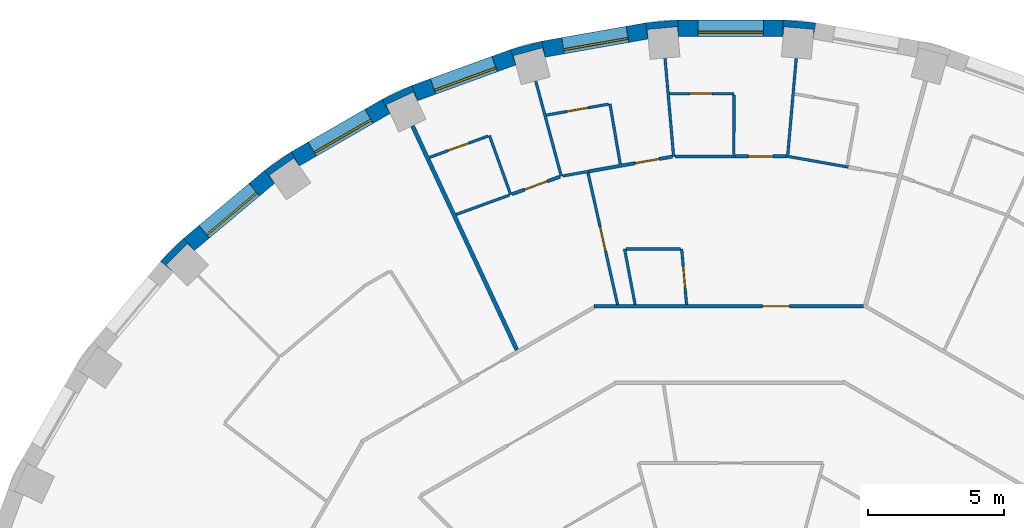
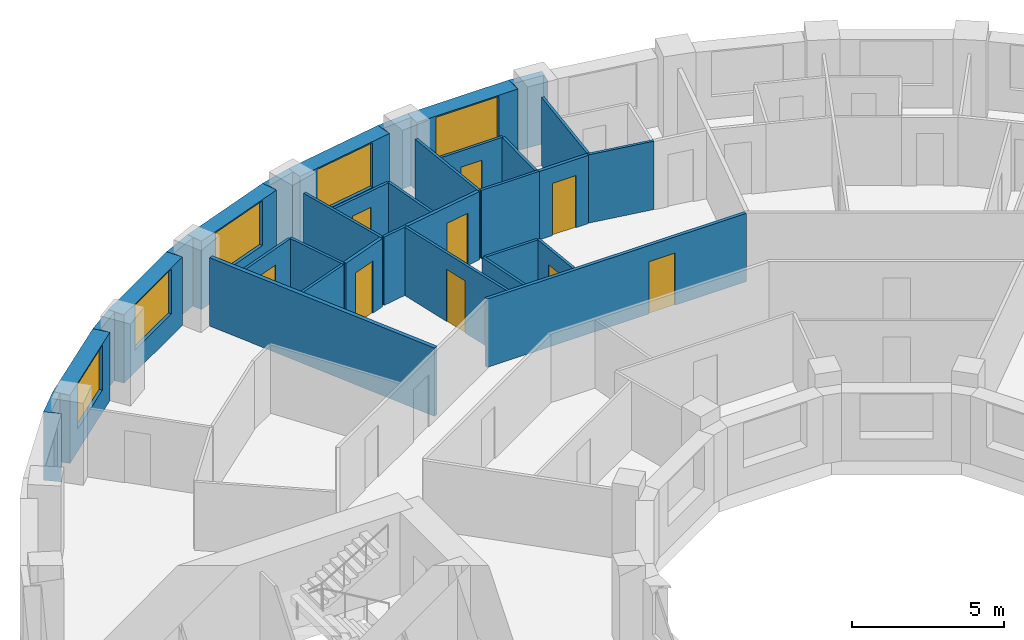
# One storey, part 11 of 15: 33 walls, 9 doors, 5 windows, 14 openings.
"""IFC4 building model written with IfcOpenShell, lengths in metres."""

import ifcopenshell
import ifcopenshell.guid

model = None  # the IFC model being written
_history = None  # IfcOwnerHistory: only IFC2X3 demands one
_inside = {}  # id of a spatial element -> (the spatial element, [elements in it])
_under = {}  # id of a project, library or spatial element -> (it, [spatial elements below it])
_declared = {}  # id of a project -> (the project, [libraries it declares])
_typed = {}  # id of a type object -> (the type object, [elements of that type])
_made_of = {}  # id of a material, layer set ... -> (it, [elements and type objects made of it])


def new_model(schema):
    """Start an empty IFC model of exactly this schema.

    Asked for "IFC4X3", IfcOpenShell would pick the latest addendum, in which some entities
    have other attributes; the version numbers below select the first issue.
    IFC2X3 requires an IfcOwnerHistory on every rooted entity: one is made here for all.
    """
    global model, _history
    if schema == "IFC4X3":
        model = ifcopenshell.file(schema_version=(4, 3, 0, 0))
    else:
        model = ifcopenshell.file(schema=schema)
    _inside.clear()
    _under.clear()
    _declared.clear()
    _typed.clear()
    _made_of.clear()
    _history = None
    if model.schema == "IFC2X3":
        org = make("IfcOrganization", Name="unknown")
        user = make(
            "IfcPersonAndOrganization",
            ThePerson=make("IfcPerson", FamilyName="unknown"),
            TheOrganization=org,
        )
        app = make(
            "IfcApplication",
            ApplicationDeveloper=org,
            Version="unknown",
            ApplicationFullName="unknown",
            ApplicationIdentifier="unknown",
        )
        _history = make(
            "IfcOwnerHistory",
            OwningUser=user,
            OwningApplication=app,
            ChangeAction="ADDED",
            CreationDate=0,
        )
    return model


def make(cls, **values):
    """One entity of the class cls with the attributes given. An attribute that is None is left unset."""
    return model.create_entity(
        cls, **{name: value for name, value in values.items() if value is not None}
    )


def rooted(cls, **values):
    """An entity with a GlobalId (a new one), such as an element, a storey or a relation."""
    return make(cls, GlobalId=ifcopenshell.guid.new(), OwnerHistory=_history, **values)


def si_unit(unit_type, name, prefix=None):
    """IfcSIUnit, for example si_unit("LENGTHUNIT", "METRE", prefix="MILLI")."""
    return make("IfcSIUnit", UnitType=unit_type, Prefix=prefix, Name=name)


def assignment(units):
    """IfcUnitAssignment: the units of a project."""
    return None if units is None else make("IfcUnitAssignment", Units=units)


def point(xyz):
    """IfcCartesianPoint."""
    return None if xyz is None else make("IfcCartesianPoint", Coordinates=xyz)


def direction(xyz):
    """IfcDirection."""
    return None if xyz is None else make("IfcDirection", DirectionRatios=xyz)


def frame(location, z_axis=None, x_axis=None):
    """IfcAxis2Placement3D, a coordinate frame: its origin and axes. An axis left out is left unset."""
    return make(
        "IfcAxis2Placement3D",
        Location=point(location),
        Axis=direction(z_axis),
        RefDirection=direction(x_axis),
    )


def frame_2d(location, x_axis=None):
    """IfcAxis2Placement2D, a coordinate frame in the plane: its origin and x axis."""
    return make(
        "IfcAxis2Placement2D", Location=point(location), RefDirection=direction(x_axis)
    )


def origin():
    """The frame at (0, 0, 0) with its axes left unset."""
    return frame((0.0, 0.0, 0.0))


def place(relative_to, where):
    """IfcLocalPlacement: puts the frame where relative to a parent placement (None: the world)."""
    return make(
        "IfcLocalPlacement", PlacementRelTo=relative_to, RelativePlacement=where
    )


def context(
    kind, dimensions, precision=None, world=None, true_north=None, identifier=None
):
    """IfcGeometricRepresentationContext, for example the 3D "Model" context."""
    return make(
        "IfcGeometricRepresentationContext",
        ContextIdentifier=identifier,
        ContextType=kind,
        CoordinateSpaceDimension=dimensions,
        Precision=precision,
        WorldCoordinateSystem=world,
        TrueNorth=true_north,
    )


def subcontext(parent, identifier, kind, view, scale=None):
    """IfcGeometricRepresentationSubContext, for example "Body" below "Model"."""
    return make(
        "IfcGeometricRepresentationSubContext",
        ContextIdentifier=identifier,
        ContextType=kind,
        ParentContext=parent,
        TargetScale=scale,
        TargetView=view,
    )


def project(units=None, contexts=None):
    """IfcProject with its units and contexts."""
    return rooted(
        "IfcProject",
        Name="project",
        RepresentationContexts=contexts,
        UnitsInContext=assignment(units),
    )


def spatial(cls, under=None, at=None, **own):
    """A site, building, storey or space (cls), placed at a placement, below another one or the project."""
    s = rooted(cls, ObjectPlacement=at, **own)
    if under is not None:
        _under.setdefault(under.id(), (under, []))[1].append(s)
    return s


def polyline(points):
    """IfcPolyline through the points."""
    return make("IfcPolyline", Points=[point(p) for p in points])


def profile(cls, at=None, kind="AREA", **sizes):
    """A parametric profile (cls). Its sizes go by their IFC names, for example OverallWidth=200.0."""
    return make(cls, ProfileType=kind, Position=at, **sizes)


def rectangle(**sizes):
    """IfcRectangleProfileDef."""
    return profile("IfcRectangleProfileDef", **sizes)


def outline(outer, holes=None, kind="AREA"):
    """IfcArbitraryClosedProfileDef: a profile drawn as a closed curve; with holes, ...WithVoids."""
    if holes is None:
        return make("IfcArbitraryClosedProfileDef", ProfileType=kind, OuterCurve=outer)
    return make(
        "IfcArbitraryProfileDefWithVoids",
        ProfileType=kind,
        OuterCurve=outer,
        InnerCurves=holes,
    )


def extrude(swept, where, along, depth):
    """IfcExtrudedAreaSolid: the profile swept, set in the frame where, extruded along a direction by depth."""
    return make(
        "IfcExtrudedAreaSolid",
        SweptArea=swept,
        Position=where,
        ExtrudedDirection=direction(along),
        Depth=depth,
    )


def shape(context_of_items, identifier, shape_type, items):
    """IfcShapeRepresentation: the items that make up one representation, for example the "Body"."""
    return make(
        "IfcShapeRepresentation",
        ContextOfItems=context_of_items,
        RepresentationIdentifier=identifier,
        RepresentationType=shape_type,
        Items=items,
    )


def material(Name=None, Category=None):
    """IfcMaterial."""
    return make("IfcMaterial", Name=Name, Category=Category)


def layer(
    of_material, thickness, ventilated=None, Name=None, Category=None, Priority=None
):
    """IfcMaterialLayer: one layer of a wall or slab, of a material (None: an air gap)."""
    return make(
        "IfcMaterialLayer",
        Material=of_material,
        LayerThickness=thickness,
        IsVentilated=ventilated,
        Name=Name,
        Category=Category,
        Priority=Priority,
    )


def layer_set(layers, Name=None):
    """IfcMaterialLayerSet."""
    return make("IfcMaterialLayerSet", MaterialLayers=layers, LayerSetName=Name)


def made_of(thing, what):
    """Note that an element or type object is made of a material, layer set ...; save() writes the relation."""
    if what is not None:
        _made_of.setdefault(what.id(), (what, []))[1].append(thing)
    return thing


def type_object(cls, material=None, **own):
    """A type object (cls), such as IfcWallType, which elements share."""
    return made_of(rooted(cls, **own), material)


def element(
    cls,
    number,
    at=None,
    inside=None,
    cuts=None,
    type_object=None,
    material=None,
    context=None,
    identifier="Body",
    shape_type=None,
    held_by="IfcProductDefinitionShape",
    body=None,
    shapes=None,
    **own,
):
    """One element of the class cls, such as IfcWall. Its Tag is "e" and its number.

    at: its placement. inside: the storey or other place that contains it. cuts: it is an
    opening in that element (IfcRelVoidsElement). A single representation is given by context,
    identifier, shape_type and body (its items); several are given by shapes. held_by: the class
    of the entity that holds the representations. save() writes the other relations.
    """
    e = rooted(cls, Tag="e%d" % number, ObjectPlacement=at, **own)
    if body is not None:
        shapes = [shape(context, identifier, shape_type, body)]
    if shapes is not None:
        e.Representation = make(held_by, Representations=shapes)
    if inside is not None:
        _inside.setdefault(inside.id(), (inside, []))[1].append(e)
    if cuts is not None:
        rooted(
            "IfcRelVoidsElement", RelatingBuildingElement=cuts, RelatedOpeningElement=e
        )
    if type_object is not None:
        _typed.setdefault(type_object.id(), (type_object, []))[1].append(e)
    return made_of(e, material)


def fill(opening, filler):
    """IfcRelFillsElement: the door or window that sits in an opening."""
    return rooted(
        "IfcRelFillsElement",
        RelatingOpeningElement=opening,
        RelatedBuildingElement=filler,
    )


def aggregate(whole, parts):
    """IfcRelAggregates: a whole, such as a stair, and the parts it consists of."""
    return rooted("IfcRelAggregates", RelatingObject=whole, RelatedObjects=parts)


def save(model, path):
    """Write the relations noted so far, then the file.

    IfcRelAggregates (storeys below a building ...), IfcRelContainedInSpatialStructure (elements
    in a storey), IfcRelDefinesByType, IfcRelAssociatesMaterial and IfcRelDeclares: one each for
    every whole, place, type object, material and project.
    """
    for whole, parts in _under.values():
        aggregate(whole, parts)
    for where, things in _inside.values():
        rooted(
            "IfcRelContainedInSpatialStructure",
            RelatedElements=things,
            RelatingStructure=where,
        )
    for kind, things in _typed.values():
        rooted("IfcRelDefinesByType", RelatedObjects=things, RelatingType=kind)
    for what, things in _made_of.values():
        rooted("IfcRelAssociatesMaterial", RelatedObjects=things, RelatingMaterial=what)
    for by, libraries in _declared.values():
        rooted("IfcRelDeclares", RelatingContext=by, RelatedDefinitions=libraries)
    model.write(path)


model = new_model("IFC4")

# Units and contexts
model_context = context("Model", 3, precision=1e-05, world=origin(), true_north=direction((0.0, 1.0)))
body_context = subcontext(model_context, "Body", "Model", "MODEL_VIEW")
ifc_project = project(units=[si_unit("LENGTHUNIT", "METRE"), si_unit("AREAUNIT", "SQUARE_METRE"), si_unit("VOLUMEUNIT", "CUBIC_METRE"), si_unit("PLANEANGLEUNIT", "RADIAN"), si_unit("MASSUNIT", "GRAM", prefix="KILO")], contexts=[model_context])

# Site, building, storey
site_placement = place(None, origin())
site = spatial("IfcSite", under=ifc_project, at=site_placement, CompositionType="ELEMENT")
building_placement = place(site_placement, origin())
building = spatial("IfcBuilding", under=site, at=building_placement, Name="Saqina Gate Tower", CompositionType="ELEMENT")
storey_placement = place(building_placement, frame((0.0, 0.0, 39.5)))
storey = spatial("IfcBuildingStorey", under=building, at=storey_placement, Name="L10", CompositionType="ELEMENT", Elevation=39.5)

# Walls
ifc_material_1 = material(Name="Brick masonry (red)", Category="masonry")
wall_type_1 = type_object("IfcWallType", Name="BRICK PIER COPING RED", PredefinedType="SOLIDWALL", material=ifc_material_1)
wall_1_placement = place(storey_placement, origin())
element("IfcWall", 1, at=wall_1_placement, inside=storey, type_object=wall_type_1, Name="Pier cap L10 column 9", PredefinedType="SOLIDWALL", context=body_context, shape_type="SweptSolid", body=[
    extrude(outline(polyline([(3.122802734375, 28.78466796875), (1.9228515625, 28.8896484375), (1.9228515625, 28.28955078125), (1.95361328125, 28.638671875), (3.04931640625, 28.54296875), (3.018798828125, 28.19384765625), (3.122802734375, 28.78466796875)])), origin(), (0.0, 0.0, 1.0), 2.75),
])
wall_2_placement = place(storey_placement, origin())
element("IfcWall", 2, at=wall_2_placement, inside=storey, type_object=wall_type_1, Name="Pier cap L10 column 10", PredefinedType="SOLIDWALL", context=body_context, shape_type="SweptSolid", body=[
    extrude(outline(polyline([(-1.9228515625, 28.8896484375), (-3.122802734375, 28.78466796875), (-3.018798828125, 28.19384765625), (-3.04931640625, 28.54296875), (-1.95361328125, 28.638671875), (-1.9228515625, 28.28955078125), (-1.9228515625, 28.8896484375)])), origin(), (0.0, 0.0, 1.0), 2.75),
])
wall_3_placement = place(storey_placement, origin())
element("IfcWall", 3, at=wall_3_placement, inside=storey, type_object=wall_type_1, Name="Pier cap L10 column 11", PredefinedType="SOLIDWALL", context=body_context, shape_type="SweptSolid", body=[
    extrude(outline(polyline([(-6.910400390625, 28.11669921875), (-8.073974609375, 27.80517578125), (-7.86865234375, 27.2412109375), (-7.95947265625, 27.57958984375), (-6.896728515625, 27.864501953125), (-6.80615234375, 27.52587890625), (-6.910400390625, 28.11669921875)])), origin(), (0.0, 0.0, 1.0), 2.75),
])
wall_4_placement = place(storey_placement, origin())
element("IfcWall", 4, at=wall_4_placement, inside=storey, type_object=wall_type_1, Name="Pier cap L10 column 12", PredefinedType="SOLIDWALL", context=body_context, shape_type="SweptSolid", body=[
    extrude(outline(polyline([(-12.779541015625, 25.980712890625), (-12.4794921875, 25.4609375), (-12.627685546875, 25.778564453125), (-11.630615234375, 26.243408203125), (-11.482666015625, 25.92578125), (-11.687744140625, 26.48974609375), (-12.779541015625, 25.980712890625)])), origin(), (0.0, 0.0, 1.0), 2.75),
])
wall_5_placement = place(storey_placement, origin())
element("IfcWall", 5, at=wall_5_placement, inside=storey, type_object=wall_type_1, Name="Pier cap L10 column 13", PredefinedType="SOLIDWALL", context=body_context, shape_type="SweptSolid", body=[
    extrude(outline(polyline([(-16.110107421875, 24.0576171875), (-17.096923828125, 23.36669921875), (-16.711181640625, 22.9072265625), (-16.912109375, 23.194091796875), (-16.010986328125, 23.8251953125), (-15.81005859375, 23.5380859375), (-16.110107421875, 24.0576171875)])), origin(), (0.0, 0.0, 1.0), 2.75),
])
wall_6_placement = place(storey_placement, origin())
element("IfcWall", 6, at=wall_6_placement, inside=storey, type_object=wall_type_1, Name="Pier cap L10 column 14", PredefinedType="SOLIDWALL", context=body_context, shape_type="SweptSolid", body=[
    extrude(outline(polyline([(-20.894775390625, 20.04296875), (-20.43505859375, 19.6572265625), (-20.682861328125, 19.905029296875), (-19.905029296875, 20.682861328125), (-19.6572265625, 20.43505859375), (-20.04296875, 20.894775390625), (-20.894775390625, 20.04296875)])), origin(), (0.0, 0.0, 1.0), 2.75),
])

# Wall, opening, window
ifc_material_2 = material(Name="Brick masonry (red)", Category="masonry")
ifc_layer_1 = layer(ifc_material_2, 0.60009765625)
ifc_layer_set_1 = layer_set([ifc_layer_1], Name="FW-BRICK-RED")
wall_type_2 = type_object("IfcWallType", Name="FW-BRICK-RED", PredefinedType="SOLIDWALL", material=ifc_layer_set_1)
wall_7_placement = place(storey_placement, frame((1.9228515625, 28.589599609375, 0.0), z_axis=(0.0, 0.0, 1.0), x_axis=(-1.0, 0.0, 0.0)))
wall_7 = element("IfcWall", 7, at=wall_7_placement, inside=storey, type_object=wall_type_2, Name="Facade wall L10 facet 9", PredefinedType="SOLIDWALL", context=body_context, shape_type="SweptSolid", body=[
    extrude(rectangle(XDim=3.845703125, YDim=0.60009765625, at=frame_2d((1.9228515625, 0.0))), origin(), (0.0, 0.0, 1.0), 2.75),
])
opening_1_placement = place(wall_7_placement, frame((0.722900390625, 0.0, 0.89990234375)))
opening_1 = element("IfcOpeningElement", 8, at=opening_1_placement, cuts=wall_7, Name="Opening G02-W07", PredefinedType="OPENING", context=body_context, shape_type="SweptSolid", body=[
    extrude(rectangle(XDim=2.39990234375, YDim=1.800048828125, at=frame_2d((1.199951171875, 0.89990234375))), frame((0.0, 0.31201171875, 0.0), z_axis=(0.0, -1.0, 0.0), x_axis=(1.0, 0.0, 0.0)), (0.0, 0.0, 1.0), 0.6240234375),
])
ifc_material_3 = material(Name="Aluminium glazing", Category="aluminium")
window_type = type_object("IfcWindowType", Name="WN-A", PartitioningType="SINGLE_PANEL", PredefinedType="WINDOW", material=ifc_material_3)
window_1_placement = place(opening_1_placement, origin())
window_1 = element("IfcWindow", 9, at=window_1_placement, inside=storey, type_object=window_type, Name="Window L10 facet 9", OverallHeight=1.800048828125, OverallWidth=2.39990234375, PartitioningType="SINGLE_PANEL", PredefinedType="WINDOW", context=body_context, shape_type="SweptSolid", body=[
    extrude(rectangle(XDim=2.39990234375, YDim=1.800048828125, at=frame_2d((1.199951171875, 0.89990234375))), frame((0.0, 0.179931640625, 0.0), z_axis=(0.0, -1.0, 0.0), x_axis=(1.0, 0.0, 0.0)), (0.0, 0.0, 1.0), 0.06005859375),
])
fill(opening_1, window_1)

wall_8_placement = place(storey_placement, frame((-3.07080078125, 28.4892578125, 0.0), z_axis=(0.0, 0.0, 1.0), x_axis=(-0.984800809218, -0.173687553279, 0.0)))
wall_8 = element("IfcWall", 10, at=wall_8_placement, inside=storey, type_object=wall_type_2, Name="Facade wall L10 facet 10", PredefinedType="SOLIDWALL", context=body_context, shape_type="SweptSolid", body=[
    extrude(rectangle(XDim=3.845703125, YDim=0.60009765625, at=frame_2d((1.9228515625, 0.0))), origin(), (0.0, 0.0, 1.0), 2.75),
])
opening_2_placement = place(wall_8_placement, frame((0.722900390625, 0.0, 0.89990234375)))
opening_2 = element("IfcOpeningElement", 11, at=opening_2_placement, cuts=wall_8, Name="Opening G02-W08", PredefinedType="OPENING", context=body_context, shape_type="SweptSolid", body=[
    extrude(rectangle(XDim=2.39990234375, YDim=1.800048828125, at=frame_2d((1.199951171875, 0.89990234375))), frame((0.0, 0.31201171875, 0.0), z_axis=(0.0, -1.0, 0.0), x_axis=(1.0, 0.0, 0.0)), (0.0, 0.0, 1.0), 0.6240234375),
])
window_2_placement = place(opening_2_placement, origin())
window_2 = element("IfcWindow", 12, at=window_2_placement, inside=storey, type_object=window_type, Name="Window L10 facet 10", OverallHeight=1.800048828125, OverallWidth=2.39990234375, PartitioningType="SINGLE_PANEL", PredefinedType="WINDOW", context=body_context, shape_type="SweptSolid", body=[
    extrude(rectangle(XDim=2.39990234375, YDim=1.800048828125, at=frame_2d((1.199951171875, 0.89990234375))), frame((0.0, 0.179931640625, 0.0), z_axis=(0.0, -1.0, 0.0), x_axis=(1.0, 0.0, 0.0)), (0.0, 0.0, 1.0), 0.06005859375),
])
fill(opening_2, window_2)

wall_9_placement = place(storey_placement, frame((-7.97119140625, 27.523193359375, 0.0), z_axis=(0.0, 0.0, 1.0), x_axis=(-0.939689588564, -0.342028474173, 0.0)))
wall_9 = element("IfcWall", 13, at=wall_9_placement, inside=storey, type_object=wall_type_2, Name="Facade wall L10 facet 11", PredefinedType="SOLIDWALL", context=body_context, shape_type="SweptSolid", body=[
    extrude(rectangle(XDim=3.845947265625, YDim=0.60009765625, at=frame_2d((1.9228515625, 0.0))), origin(), (0.0, 0.0, 1.0), 2.75),
])
opening_3_placement = place(wall_9_placement, frame((0.722900390625, 0.0, 0.89990234375)))
opening_3 = element("IfcOpeningElement", 14, at=opening_3_placement, cuts=wall_9, Name="Opening G02-W09", PredefinedType="OPENING", context=body_context, shape_type="SweptSolid", body=[
    extrude(rectangle(XDim=2.39990234375, YDim=1.800048828125, at=frame_2d((1.199951171875, 0.89990234375))), frame((0.0, 0.31201171875, 0.0), z_axis=(0.0, -1.0, 0.0), x_axis=(1.0, 0.0, 0.0)), (0.0, 0.0, 1.0), 0.6240234375),
])
window_3_placement = place(opening_3_placement, origin())
window_3 = element("IfcWindow", 15, at=window_3_placement, inside=storey, type_object=window_type, Name="Window L10 facet 11", OverallHeight=1.800048828125, OverallWidth=2.39990234375, PartitioningType="SINGLE_PANEL", PredefinedType="WINDOW", context=body_context, shape_type="SweptSolid", body=[
    extrude(rectangle(XDim=2.39990234375, YDim=1.800048828125, at=frame_2d((1.199951171875, 0.89990234375))), frame((0.0, 0.179931640625, 0.0), z_axis=(0.0, -1.0, 0.0), x_axis=(1.0, 0.0, 0.0)), (0.0, 0.0, 1.0), 0.06005859375),
])
fill(opening_3, window_3)

wall_10_placement = place(storey_placement, frame((-12.629638671875, 25.720703125, 0.0), z_axis=(0.0, 0.0, 1.0), x_axis=(-0.86603124159, -0.499989888488, 0.0)))
wall_10 = element("IfcWall", 16, at=wall_10_placement, inside=storey, type_object=wall_type_2, Name="Facade wall L10 facet 12", PredefinedType="SOLIDWALL", context=body_context, shape_type="SweptSolid", body=[
    extrude(rectangle(XDim=3.845703125, YDim=0.60009765625, at=frame_2d((1.9228515625, 0.0))), origin(), (0.0, 0.0, 1.0), 2.75),
])
opening_4_placement = place(wall_10_placement, frame((0.722900390625, 0.0, 0.89990234375)))
opening_4 = element("IfcOpeningElement", 17, at=opening_4_placement, cuts=wall_10, Name="Opening G02-W10", PredefinedType="OPENING", context=body_context, shape_type="SweptSolid", body=[
    extrude(rectangle(XDim=2.39990234375, YDim=1.800048828125, at=frame_2d((1.199951171875, 0.89990234375))), frame((0.0, 0.31201171875, 0.0), z_axis=(0.0, -1.0, 0.0), x_axis=(1.0, 0.0, 0.0)), (0.0, 0.0, 1.0), 0.6240234375),
])
window_4_placement = place(opening_4_placement, origin())
window_4 = element("IfcWindow", 18, at=window_4_placement, inside=storey, type_object=window_type, Name="Window L10 facet 12", OverallHeight=1.800048828125, OverallWidth=2.39990234375, PartitioningType="SINGLE_PANEL", PredefinedType="WINDOW", context=body_context, shape_type="SweptSolid", body=[
    extrude(rectangle(XDim=2.39990234375, YDim=1.800048828125, at=frame_2d((1.199951171875, 0.89990234375))), frame((0.0, 0.179931640625, 0.0), z_axis=(0.0, -1.0, 0.0), x_axis=(1.0, 0.0, 0.0)), (0.0, 0.0, 1.0), 0.06005859375),
])
fill(opening_4, window_4)

wall_11_placement = place(storey_placement, frame((-16.904052734375, 23.136962890625, 0.0), z_axis=(0.0, 0.0, 1.0), x_axis=(-0.766026164483, -0.642809392687, 0.0)))
wall_11 = element("IfcWall", 19, at=wall_11_placement, inside=storey, type_object=wall_type_2, Name="Facade wall L10 facet 13", PredefinedType="SOLIDWALL", context=body_context, shape_type="SweptSolid", body=[
    extrude(rectangle(XDim=3.845947265625, YDim=0.60009765625, at=frame_2d((1.9228515625, 0.0))), origin(), (0.0, 0.0, 1.0), 2.75),
])
opening_5_placement = place(wall_11_placement, frame((0.722900390625, 0.0, 0.89990234375)))
opening_5 = element("IfcOpeningElement", 20, at=opening_5_placement, cuts=wall_11, Name="Opening G02-W11", PredefinedType="OPENING", context=body_context, shape_type="SweptSolid", body=[
    extrude(rectangle(XDim=2.39990234375, YDim=1.800048828125, at=frame_2d((1.199951171875, 0.89990234375))), frame((0.0, 0.31201171875, 0.0), z_axis=(0.0, -1.0, 0.0), x_axis=(1.0, 0.0, 0.0)), (0.0, 0.0, 1.0), 0.6240234375),
])
window_5_placement = place(opening_5_placement, origin())
window_5 = element("IfcWindow", 21, at=window_5_placement, inside=storey, type_object=window_type, Name="Window L10 facet 13", OverallHeight=1.800048828125, OverallWidth=2.39990234375, PartitioningType="SINGLE_PANEL", PredefinedType="WINDOW", context=body_context, shape_type="SweptSolid", body=[
    extrude(rectangle(XDim=2.39990234375, YDim=1.800048828125, at=frame_2d((1.199951171875, 0.89990234375))), frame((0.0, 0.179931640625, 0.0), z_axis=(0.0, -1.0, 0.0), x_axis=(1.0, 0.0, 0.0)), (0.0, 0.0, 1.0), 0.06005859375),
])
fill(opening_5, window_5)

# Wall
ifc_material_4 = material(Name="Gypsum board on steel studs, 100 mm", Category="steel")
ifc_layer_2 = layer(ifc_material_4, 0.10009765625)
ifc_layer_set_2 = layer_set([ifc_layer_2], Name="PARTITION 100")
wall_type_3 = type_object("IfcWallType", Name="PARTITION 100", PredefinedType="PARTITIONING", material=ifc_layer_set_2)
wall_12_placement = place(storey_placement, frame((-2.404296875, 27.485107421875, 0.0), z_axis=(0.0, 0.0, 1.0), x_axis=(0.08706456859, -0.996202670593, 0.0)))
element("IfcWall", 22, at=wall_12_placement, inside=storey, type_object=wall_type_3, Name="PARTITION PW3-04", PredefinedType="PARTITIONING", context=body_context, shape_type="SweptSolid", body=[
    extrude(rectangle(XDim=3.60888671875, YDim=0.10009765625, at=frame_2d((1.804443359375, 0.0))), origin(), (0.0, 0.0, 1.0), 2.75),
])

# Wall, opening, door
wall_13_placement = place(storey_placement, frame((-1.7939453125, 20.5, 0.0), z_axis=(0.0, 0.0, 1.0), x_axis=(0.087005571392, -0.996207824978, 0.0)))
wall_13 = element("IfcWall", 23, at=wall_13_placement, inside=storey, type_object=wall_type_3, Name="PARTITION PW3-05", PredefinedType="PARTITIONING", context=body_context, shape_type="SweptSolid", body=[
    extrude(rectangle(XDim=2.045654296875, YDim=0.10009765625, at=frame_2d((1.02294921875, 0.0))), origin(), (0.0, 0.0, 1.0), 2.75),
])
opening_6_placement = place(wall_13_placement, frame((0.654052734375, 0.0, 0.0)))
opening_6 = element("IfcOpeningElement", 24, at=opening_6_placement, cuts=wall_13, Name="Opening G02-D21", PredefinedType="OPENING", context=body_context, shape_type="SweptSolid", body=[
    extrude(rectangle(XDim=0.800048828125, YDim=2.10009765625, at=frame_2d((0.39990234375, 1.050048828125))), frame((0.0, 0.06201171875, 0.0), z_axis=(0.0, -1.0, 0.0), x_axis=(1.0, 0.0, 0.0)), (0.0, 0.0, 1.0), 0.1240234375),
])
ifc_material_5 = material(Name="Timber door leaf, 800 mm", Category="wood")
door_type_1 = type_object("IfcDoorType", Name="DOOR 800 TIMBER", OperationType="SINGLE_SWING_LEFT", PredefinedType="DOOR", material=ifc_material_5)
door_1_placement = place(opening_6_placement, origin())
door_1 = element("IfcDoor", 25, at=door_1_placement, inside=storey, type_object=door_type_1, Name="DOOR G02-D21", OperationType="SINGLE_SWING_RIGHT", OverallHeight=2.10009765625, OverallWidth=0.800048828125, PredefinedType="DOOR", context=body_context, shape_type="SweptSolid", body=[
    extrude(rectangle(XDim=0.800048828125, YDim=2.10009765625, at=frame_2d((0.39990234375, 1.050048828125))), frame((0.0, 0.02490234375, 0.0), z_axis=(0.0, -1.0, 0.0), x_axis=(1.0, 0.0, 0.0)), (0.0, 0.0, 1.0), 0.050048828125),
])
fill(opening_6, door_1)

# Walls
wall_14_placement = place(storey_placement, frame((-4.423095703125, 25.81396484375, 0.0), z_axis=(0.0, 0.0, 1.0), x_axis=(0.168697286213, -0.985667908387, 0.0)))
element("IfcWall", 26, at=wall_14_placement, inside=storey, type_object=wall_type_3, Name="PARTITION PW3-08", PredefinedType="PARTITIONING", context=body_context, shape_type="SweptSolid", body=[
    extrude(rectangle(XDim=2.2373046875, YDim=0.10009765625, at=frame_2d((1.11865234375, 0.0))), origin(), (0.0, 0.0, 1.0), 2.75),
])
wall_15_placement = place(storey_placement, frame((-3.888916015625, 20.5, 0.0), z_axis=(0.0, 0.0, 1.0), x_axis=(0.186603866767, -0.982435238022, 0.0)))
element("IfcWall", 27, at=wall_15_placement, inside=storey, type_object=wall_type_3, Name="PARTITION PW3-10", PredefinedType="PARTITIONING", context=body_context, shape_type="SweptSolid", body=[
    extrude(rectangle(XDim=2.074951171875, YDim=0.10009765625, at=frame_2d((1.03759765625, 0.0))), origin(), (0.0, 0.0, 1.0), 2.75),
])

# Wall, opening, door
wall_16_placement = place(storey_placement, frame((-5.22802734375, 23.28515625, 0.0), z_axis=(0.0, 0.0, 1.0), x_axis=(0.219089188196, -0.975704836319, 0.0)))
wall_16 = element("IfcWall", 28, at=wall_16_placement, inside=storey, type_object=wall_type_3, Name="PARTITION PW3-11", PredefinedType="PARTITIONING", context=body_context, shape_type="SweptSolid", body=[
    extrude(rectangle(XDim=4.9443359375, YDim=0.10009765625, at=frame_2d((2.47216796875, 0.0))), origin(), (0.0, 0.0, 1.0), 2.75),
])
opening_7_placement = place(wall_16_placement, frame((2.0283203125, 0.0, 0.0)))
opening_7 = element("IfcOpeningElement", 29, at=opening_7_placement, cuts=wall_16, Name="Opening G02-D24", PredefinedType="OPENING", context=body_context, shape_type="SweptSolid", body=[
    extrude(rectangle(XDim=0.89990234375, YDim=2.10009765625, at=frame_2d((0.449951171875, 1.050048828125))), frame((0.0, 0.06201171875, 0.0), z_axis=(0.0, -1.0, 0.0), x_axis=(1.0, 0.0, 0.0)), (0.0, 0.0, 1.0), 0.1240234375),
])
ifc_material_6 = material(Name="Timber door leaf, 900 mm", Category="wood")
door_type_2 = type_object("IfcDoorType", Name="DOOR 900 TIMBER", OperationType="SINGLE_SWING_LEFT", PredefinedType="DOOR", material=ifc_material_6)
door_2_placement = place(opening_7_placement, origin())
door_2 = element("IfcDoor", 30, at=door_2_placement, inside=storey, type_object=door_type_2, Name="DOOR G02-D24", OperationType="SINGLE_SWING_RIGHT", OverallHeight=2.10009765625, OverallWidth=0.89990234375, PredefinedType="DOOR", context=body_context, shape_type="SweptSolid", body=[
    extrude(rectangle(XDim=0.89990234375, YDim=2.10009765625, at=frame_2d((0.449951171875, 1.050048828125))), frame((0.0, 0.02490234375, 0.0), z_axis=(0.0, -1.0, 0.0), x_axis=(1.0, 0.0, 0.0)), (0.0, 0.0, 1.0), 0.050048828125),
])
fill(opening_7, door_2)

# Walls
wall_17_placement = place(storey_placement, frame((-7.14306640625, 26.6494140625, 0.0), z_axis=(0.0, 0.0, 1.0), x_axis=(0.259371754041, -0.965777558864, 0.0)))
element("IfcWall", 31, at=wall_17_placement, inside=storey, type_object=wall_type_3, Name="PARTITION PW3-12", PredefinedType="PARTITIONING", context=body_context, shape_type="SweptSolid", body=[
    extrude(rectangle(XDim=3.60888671875, YDim=0.10009765625, at=frame_2d((1.804443359375, 0.0))), origin(), (0.0, 0.0, 1.0), 2.75),
])
wall_18_placement = place(storey_placement, frame((-8.839111328125, 24.653076171875, 0.0), z_axis=(0.0, 0.0, 1.0), x_axis=(0.337828591949, -0.941207651085, 0.0)))
element("IfcWall", 32, at=wall_18_placement, inside=storey, type_object=wall_type_3, Name="PARTITION PW3-18", PredefinedType="PARTITIONING", context=body_context, shape_type="SweptSolid", body=[
    extrude(rectangle(XDim=2.30029296875, YDim=0.10009765625, at=frame_2d((1.150146484375, 0.0))), origin(), (0.0, 0.0, 1.0), 2.75),
])
wall_19_placement = place(storey_placement, frame((2.0400390625, 23.89892578125, 0.0), z_axis=(0.0, 0.0, 1.0), x_axis=(0.984796344358, -0.173712866935, 0.0)))
element("IfcWall", 33, at=wall_19_placement, inside=storey, type_object=wall_type_3, Name="PARTITION PW3-55", PredefinedType="PARTITIONING", context=body_context, shape_type="SweptSolid", body=[
    extrude(rectangle(XDim=2.306396484375, YDim=0.10009765625, at=frame_2d((1.1533203125, 0.0))), origin(), (0.0, 0.0, 1.0), 2.75),
])
wall_20_placement = place(storey_placement, frame((-3.839111328125, 20.5, 0.0), z_axis=(0.0, 0.0, 1.0), x_axis=(1.0, 0.0, 0.0)))
element("IfcWall", 34, at=wall_20_placement, inside=storey, type_object=wall_type_3, Name="PARTITION PW3-62", PredefinedType="PARTITIONING", context=body_context, shape_type="SweptSolid", body=[
    extrude(rectangle(XDim=1.9951171875, YDim=0.10009765625, at=frame_2d((0.99755859375, 0.0))), origin(), (0.0, 0.0, 1.0), 2.75),
])
wall_21_placement = place(storey_placement, frame((-2.0400390625, 23.889892578125, 0.0), z_axis=(0.0, 0.0, 1.0), x_axis=(1.0, 0.0, 0.0)))
element("IfcWall", 35, at=wall_21_placement, inside=storey, type_object=wall_type_3, Name="PARTITION PW3-63", PredefinedType="PARTITIONING", context=body_context, shape_type="SweptSolid", body=[
    extrude(rectangle(XDim=2.205078125, YDim=0.10009765625, at=frame_2d((1.1025390625, 0.0))), origin(), (0.0, 0.0, 1.0), 2.75),
])

# Wall, opening, door
wall_22_placement = place(storey_placement, frame((-2.240966796875, 26.18994140625, 0.0), z_axis=(0.0, 0.0, 1.0), x_axis=(1.0, 0.0, 0.0)))
wall_22 = element("IfcWall", 36, at=wall_22_placement, inside=storey, type_object=wall_type_3, Name="PARTITION PW3-64", PredefinedType="PARTITIONING", context=body_context, shape_type="SweptSolid", body=[
    extrude(rectangle(XDim=2.366943359375, YDim=0.10009765625, at=frame_2d((1.18359375, 0.0))), origin(), (0.0, 0.0, 1.0), 2.75),
])
opening_8_placement = place(wall_22_placement, frame((0.758544921875, 0.0, 0.0)))
opening_8 = element("IfcOpeningElement", 37, at=opening_8_placement, cuts=wall_22, Name="Opening G02-D20", PredefinedType="OPENING", context=body_context, shape_type="SweptSolid", body=[
    extrude(rectangle(XDim=0.800048828125, YDim=2.10009765625, at=frame_2d((0.39990234375, 1.050048828125))), frame((0.0, 0.06201171875, 0.0), z_axis=(0.0, -1.0, 0.0), x_axis=(1.0, 0.0, 0.0)), (0.0, 0.0, 1.0), 0.1240234375),
])
door_3_placement = place(opening_8_placement, origin())
door_3 = element("IfcDoor", 38, at=door_3_placement, inside=storey, type_object=door_type_1, Name="DOOR G02-D20", OperationType="SINGLE_SWING_LEFT", OverallHeight=2.10009765625, OverallWidth=0.800048828125, PredefinedType="DOOR", context=body_context, shape_type="SweptSolid", body=[
    extrude(rectangle(XDim=0.800048828125, YDim=2.10009765625, at=frame_2d((0.39990234375, 1.050048828125))), frame((0.0, 0.02490234375, 0.0), z_axis=(0.0, -1.0, 0.0), x_axis=(1.0, 0.0, 0.0)), (0.0, 0.0, 1.0), 0.050048828125),
])
fill(opening_8, door_3)

# Wall
wall_23_placement = place(storey_placement, frame((-6.15771484375, 23.172607421875, 0.0), z_axis=(0.0, 0.0, 1.0), x_axis=(0.984806059991, 0.173657778994, 0.0)))
element("IfcWall", 39, at=wall_23_placement, inside=storey, type_object=wall_type_3, Name="PARTITION PW3-67", PredefinedType="PARTITIONING", context=body_context, shape_type="SweptSolid", body=[
    extrude(rectangle(XDim=0.982666015625, YDim=0.10009765625, at=frame_2d((0.4912109375, 0.0))), origin(), (0.0, 0.0, 1.0), 2.75),
])

# Wall, opening, door
wall_24_placement = place(storey_placement, frame((-6.754638671875, 25.402587890625, 0.0), z_axis=(0.0, 0.0, 1.0), x_axis=(0.984780377383, 0.173803361074, 0.0)))
wall_24 = element("IfcWall", 40, at=wall_24_placement, inside=storey, type_object=wall_type_3, Name="PARTITION PW3-68", PredefinedType="PARTITIONING", context=body_context, shape_type="SweptSolid", body=[
    extrude(rectangle(XDim=2.317626953125, YDim=0.10009765625, at=frame_2d((1.15869140625, 0.0))), origin(), (0.0, 0.0, 1.0), 2.75),
])
opening_9_placement = place(wall_24_placement, frame((0.7587890625, 0.0, 0.0)))
opening_9 = element("IfcOpeningElement", 41, at=opening_9_placement, cuts=wall_24, Name="Opening G02-D23", PredefinedType="OPENING", context=body_context, shape_type="SweptSolid", body=[
    extrude(rectangle(XDim=0.800048828125, YDim=2.10009765625, at=frame_2d((0.39990234375, 1.050048828125))), frame((0.0, 0.06201171875, 0.0), z_axis=(0.0, -1.0, 0.0), x_axis=(1.0, 0.0, 0.0)), (0.0, 0.0, 1.0), 0.1240234375),
])
door_4_placement = place(opening_9_placement, origin())
door_4 = element("IfcDoor", 42, at=door_4_placement, inside=storey, type_object=door_type_1, Name="DOOR G02-D23", OperationType="SINGLE_SWING_RIGHT", OverallHeight=2.10009765625, OverallWidth=0.800048828125, PredefinedType="DOOR", context=body_context, shape_type="SweptSolid", body=[
    extrude(rectangle(XDim=0.800048828125, YDim=2.10009765625, at=frame_2d((0.39990234375, 1.050048828125))), frame((0.0, 0.02490234375, 0.0), z_axis=(0.0, -1.0, 0.0), x_axis=(1.0, 0.0, 0.0)), (0.0, 0.0, 1.0), 0.050048828125),
])
fill(opening_9, door_4)

# Wall
wall_25_placement = place(storey_placement, frame((-10.064208984375, 21.759765625, 0.0), z_axis=(0.0, 0.0, 1.0), x_axis=(0.939769439446, 0.341809012, 0.0)))
element("IfcWall", 43, at=wall_25_placement, inside=storey, type_object=wall_type_3, Name="PARTITION PW3-71", PredefinedType="PARTITIONING", context=body_context, shape_type="SweptSolid", body=[
    extrude(rectangle(XDim=2.08056640625, YDim=0.10009765625, at=frame_2d((1.040283203125, 0.0))), origin(), (0.0, 0.0, 1.0), 2.75),
])

# Wall, opening, door
wall_26_placement = place(storey_placement, frame((-11.03955078125, 23.8525390625, 0.0), z_axis=(0.0, 0.0, 1.0), x_axis=(0.93974675699, 0.341871368686, 0.0)))
wall_26 = element("IfcWall", 44, at=wall_26_placement, inside=storey, type_object=wall_type_3, Name="PARTITION PW3-72", PredefinedType="PARTITIONING", context=body_context, shape_type="SweptSolid", body=[
    extrude(rectangle(XDim=2.291748046875, YDim=0.10009765625, at=frame_2d((1.14599609375, 0.0))), origin(), (0.0, 0.0, 1.0), 2.75),
])
opening_10_placement = place(wall_26_placement, frame((0.7333984375, 0.0, 0.0)))
opening_10 = element("IfcOpeningElement", 45, at=opening_10_placement, cuts=wall_26, Name="Opening G02-D26", PredefinedType="OPENING", context=body_context, shape_type="SweptSolid", body=[
    extrude(rectangle(XDim=0.800048828125, YDim=2.10009765625, at=frame_2d((0.39990234375, 1.050048828125))), frame((0.0, 0.06201171875, 0.0), z_axis=(0.0, -1.0, 0.0), x_axis=(1.0, 0.0, 0.0)), (0.0, 0.0, 1.0), 0.1240234375),
])
door_5_placement = place(opening_10_placement, origin())
door_5 = element("IfcDoor", 46, at=door_5_placement, inside=storey, type_object=door_type_1, Name="DOOR G02-D26", OperationType="SINGLE_SWING_LEFT", OverallHeight=2.10009765625, OverallWidth=0.800048828125, PredefinedType="DOOR", context=body_context, shape_type="SweptSolid", body=[
    extrude(rectangle(XDim=0.800048828125, YDim=2.10009765625, at=frame_2d((0.39990234375, 1.050048828125))), frame((0.0, 0.02490234375, 0.0), z_axis=(0.0, -1.0, 0.0), x_axis=(1.0, 0.0, 0.0)), (0.0, 0.0, 1.0), 0.050048828125),
])
fill(opening_10, door_5)

# Walls
wall_27_placement = place(storey_placement, frame((2.095458984375, 23.9521484375, 0.0), z_axis=(0.0, 0.0, 1.0), x_axis=(0.087084114239, 0.996200962179, 0.0)))
element("IfcWall", 47, at=wall_27_placement, inside=storey, type_object=wall_type_3, Name="PARTITION PW3-112", PredefinedType="PARTITIONING", context=body_context, shape_type="SweptSolid", body=[
    extrude(rectangle(XDim=3.54638671875, YDim=0.10009765625, at=frame_2d((1.773193359375, 0.0))), origin(), (0.0, 0.0, 1.0), 2.75),
])
wall_28_placement = place(storey_placement, frame((0.115234375, 23.952392578125, 0.0), z_axis=(0.0, 0.0, 1.0), x_axis=(0.004799051879, 0.999988484484, 0.0)))
element("IfcWall", 48, at=wall_28_placement, inside=storey, type_object=wall_type_3, Name="PARTITION PW3-113", PredefinedType="PARTITIONING", context=body_context, shape_type="SweptSolid", body=[
    extrude(rectangle(XDim=2.1875, YDim=0.10009765625, at=frame_2d((1.09375, 0.0))), origin(), (0.0, 0.0, 1.0), 2.75),
])

# Wall, opening, door
ifc_material_7 = material(Name="Gypsum board on steel studs, 125 mm, fire rated", Category="steel")
ifc_layer_3 = layer(ifc_material_7, 0.125)
ifc_layer_set_3 = layer_set([ifc_layer_3], Name="PARTITION EI 30 125")
wall_type_4 = type_object("IfcWallType", Name="PARTITION EI 30 125", PredefinedType="PARTITIONING", material=ifc_layer_set_3)
wall_29_placement = place(storey_placement, frame((-5.002197265625, 18.39990234375, 0.0), z_axis=(0.0, 0.0, 1.0), x_axis=(1.0, 0.0, 0.0)))
wall_29 = element("IfcWall", 49, at=wall_29_placement, inside=storey, type_object=wall_type_4, Name="PARTITION PW1-30", PredefinedType="PARTITIONING", context=body_context, shape_type="SweptSolid", body=[
    extrude(rectangle(XDim=9.86962890625, YDim=0.125, at=frame_2d((4.934814453125, 0.0))), origin(), (0.0, 0.0, 1.0), 2.75),
])
opening_11_placement = place(wall_29_placement, frame((6.162109375, 0.0, 0.0)))
opening_11 = element("IfcOpeningElement", 50, at=opening_11_placement, cuts=wall_29, Name="Opening G02-D17", PredefinedType="OPENING", context=body_context, shape_type="SweptSolid", body=[
    extrude(rectangle(XDim=1.0, YDim=2.10009765625, at=frame_2d((0.5, 1.050048828125))), frame((0.0, 0.074462890625, 0.0), z_axis=(0.0, -1.0, 0.0), x_axis=(1.0, 0.0, 0.0)), (0.0, 0.0, 1.0), 0.14892578125),
])
ifc_material_8 = material(Name="Fire door leaf EI 30, 1000 mm")
door_type_3 = type_object("IfcDoorType", Name="DOOR 1000 EI 30", OperationType="SINGLE_SWING_LEFT", PredefinedType="DOOR", material=ifc_material_8)
door_6_placement = place(opening_11_placement, origin())
door_6 = element("IfcDoor", 51, at=door_6_placement, inside=storey, type_object=door_type_3, Name="DOOR G02-D17", OperationType="SINGLE_SWING_RIGHT", OverallHeight=2.10009765625, OverallWidth=1.0, PredefinedType="DOOR", context=body_context, shape_type="SweptSolid", body=[
    extrude(rectangle(XDim=1.0, YDim=2.10009765625, at=frame_2d((0.5, 1.050048828125))), frame((0.0, 0.02490234375, 0.0), z_axis=(0.0, -1.0, 0.0), x_axis=(1.0, 0.0, 0.0)), (0.0, 0.0, 1.0), 0.050048828125),
])
fill(opening_11, door_6)

wall_30_placement = place(storey_placement, frame((0.1650390625, 23.889892578125, 0.0), z_axis=(0.0, 0.0, 1.0), x_axis=(1.0, 0.0, 0.0)))
wall_30 = element("IfcWall", 52, at=wall_30_placement, inside=storey, type_object=wall_type_4, Name="PARTITION PW1-31", PredefinedType="PARTITIONING", context=body_context, shape_type="SweptSolid", body=[
    extrude(rectangle(XDim=1.875, YDim=0.125, at=frame_2d((0.9375, 0.0))), origin(), (0.0, 0.0, 1.0), 2.75),
])
opening_12_placement = place(wall_30_placement, frame((0.487548828125, 0.0, 0.0)))
opening_12 = element("IfcOpeningElement", 53, at=opening_12_placement, cuts=wall_30, Name="Opening G02-D18", PredefinedType="OPENING", context=body_context, shape_type="SweptSolid", body=[
    extrude(rectangle(XDim=0.89990234375, YDim=2.10009765625, at=frame_2d((0.449951171875, 1.050048828125))), frame((0.0, 0.074462890625, 0.0), z_axis=(0.0, -1.0, 0.0), x_axis=(1.0, 0.0, 0.0)), (0.0, 0.0, 1.0), 0.14892578125),
])
ifc_material_9 = material(Name="Fire door leaf EI 30, 900 mm")
door_type_4 = type_object("IfcDoorType", Name="DOOR 900 EI 30", OperationType="SINGLE_SWING_LEFT", PredefinedType="DOOR", material=ifc_material_9)
door_7_placement = place(opening_12_placement, frame((0.89990234375, 0.0, 0.0), z_axis=(0.0, 0.0, 1.0), x_axis=(-1.0, 0.0, 0.0)))
door_7 = element("IfcDoor", 54, at=door_7_placement, inside=storey, type_object=door_type_4, Name="DOOR G02-D18", OperationType="SINGLE_SWING_LEFT", OverallHeight=2.10009765625, OverallWidth=0.89990234375, PredefinedType="DOOR", context=body_context, shape_type="SweptSolid", body=[
    extrude(rectangle(XDim=0.89990234375, YDim=2.10009765625, at=frame_2d((0.449951171875, 1.050048828125))), frame((0.0, 0.02490234375, 0.0), z_axis=(0.0, -1.0, 0.0), x_axis=(1.0, 0.0, 0.0)), (0.0, 0.0, 1.0), 0.050048828125),
])
fill(opening_12, door_7)

wall_31_placement = place(storey_placement, frame((-5.189697265625, 23.3427734375, 0.0), z_axis=(0.0, 0.0, 1.0), x_axis=(0.984810524367, 0.173632459798, 0.0)))
wall_31 = element("IfcWall", 55, at=wall_31_placement, inside=storey, type_object=wall_type_4, Name="PARTITION PW1-33", PredefinedType="PARTITIONING", context=body_context, shape_type="SweptSolid", body=[
    extrude(rectangle(XDim=3.09765625, YDim=0.125, at=frame_2d((1.548828125, 0.0))), origin(), (0.0, 0.0, 1.0), 2.75),
])
opening_13_placement = place(wall_31_placement, frame((1.710205078125, 0.0, 0.0)))
opening_13 = element("IfcOpeningElement", 56, at=opening_13_placement, cuts=wall_31, Name="Opening G02-D22", PredefinedType="OPENING", context=body_context, shape_type="SweptSolid", body=[
    extrude(rectangle(XDim=0.89990234375, YDim=2.10009765625, at=frame_2d((0.449951171875, 1.050048828125))), frame((0.0, 0.074462890625, 0.0), z_axis=(0.0, -1.0, 0.0), x_axis=(1.0, 0.0, 0.0)), (0.0, 0.0, 1.0), 0.14892578125),
])
door_8_placement = place(opening_13_placement, frame((0.89990234375, 0.0, 0.0), z_axis=(0.0, 0.0, 1.0), x_axis=(-1.0, 0.0, 0.0)))
door_8 = element("IfcDoor", 57, at=door_8_placement, inside=storey, type_object=door_type_4, Name="DOOR G02-D22", OperationType="SINGLE_SWING_LEFT", OverallHeight=2.10009765625, OverallWidth=0.89990234375, PredefinedType="DOOR", context=body_context, shape_type="SweptSolid", body=[
    extrude(rectangle(XDim=0.89990234375, YDim=2.10009765625, at=frame_2d((0.449951171875, 1.050048828125))), frame((0.0, 0.02490234375, 0.0), z_axis=(0.0, -1.0, 0.0), x_axis=(1.0, 0.0, 0.0)), (0.0, 0.0, 1.0), 0.050048828125),
])
fill(opening_13, door_8)

wall_32_placement = place(storey_placement, frame((-8.01513671875, 22.505126953125, 0.0), z_axis=(0.0, 0.0, 1.0), x_axis=(0.939553626447, 0.342401785962, 0.0)))
wall_32 = element("IfcWall", 58, at=wall_32_placement, inside=storey, type_object=wall_type_4, Name="PARTITION PW1-35", PredefinedType="PARTITIONING", context=body_context, shape_type="SweptSolid", body=[
    extrude(rectangle(XDim=1.87451171875, YDim=0.125, at=frame_2d((0.937255859375, 0.0))), origin(), (0.0, 0.0, 1.0), 2.75),
])
opening_14_placement = place(wall_32_placement, frame((0.4873046875, 0.0, 0.0)))
opening_14 = element("IfcOpeningElement", 59, at=opening_14_placement, cuts=wall_32, Name="Opening G02-D25", PredefinedType="OPENING", context=body_context, shape_type="SweptSolid", body=[
    extrude(rectangle(XDim=0.89990234375, YDim=2.10009765625, at=frame_2d((0.449951171875, 1.050048828125))), frame((0.0, 0.074462890625, 0.0), z_axis=(0.0, -1.0, 0.0), x_axis=(1.0, 0.0, 0.0)), (0.0, 0.0, 1.0), 0.14892578125),
])
door_9_placement = place(opening_14_placement, frame((0.89990234375, 0.0, 0.0), z_axis=(0.0, 0.0, 1.0), x_axis=(-1.0, 0.0, 0.0)))
door_9 = element("IfcDoor", 60, at=door_9_placement, inside=storey, type_object=door_type_4, Name="DOOR G02-D25", OperationType="SINGLE_SWING_LEFT", OverallHeight=2.10009765625, OverallWidth=0.89990234375, PredefinedType="DOOR", context=body_context, shape_type="SweptSolid", body=[
    extrude(rectangle(XDim=0.89990234375, YDim=2.10009765625, at=frame_2d((0.449951171875, 1.050048828125))), frame((0.0, 0.02490234375, 0.0), z_axis=(0.0, -1.0, 0.0), x_axis=(1.0, 0.0, 0.0)), (0.0, 0.0, 1.0), 0.050048828125),
])
fill(opening_14, door_9)

# Wall
ifc_material_10 = material(Name="Gypsum board on steel studs, 150 mm, fire rated", Category="steel")
ifc_layer_4 = layer(ifc_material_10, 0.14990234375)
ifc_layer_set_4 = layer_set([ifc_layer_4], Name="PARTITION EI 60 150")
wall_type_5 = type_object("IfcWallType", Name="PARTITION EI 60 150", PredefinedType="PARTITIONING", material=ifc_layer_set_4)
wall_33_placement = place(storey_placement, frame((-11.658935546875, 25.005615234375, 0.0), z_axis=(0.0, 0.0, 1.0), x_axis=(0.422264101424, -0.906472850475, 0.0)))
element("IfcWall", 61, at=wall_33_placement, inside=storey, type_object=wall_type_5, Name="PARTITION PW2-01", PredefinedType="PARTITIONING", context=body_context, shape_type="SweptSolid", body=[
    extrude(rectangle(XDim=9.05712890625, YDim=0.14990234375, at=frame_2d((4.528564453125, 0.0))), origin(), (0.0, 0.0, 1.0), 2.75),
])

save(model, "model.ifc")
